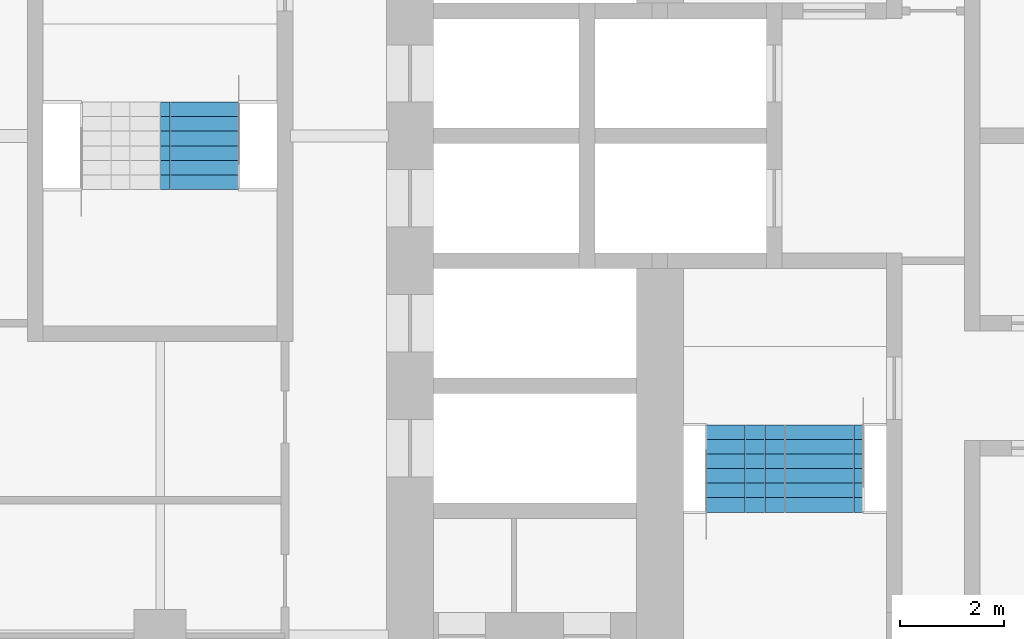
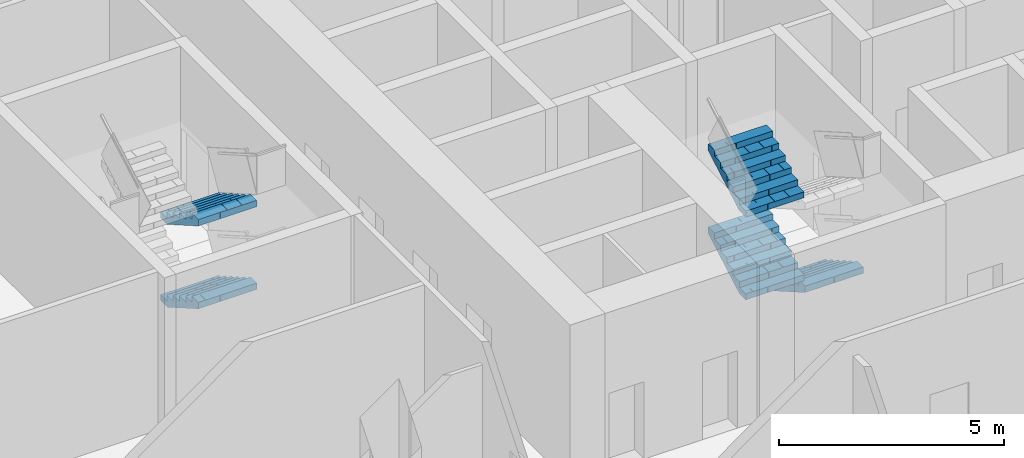
# One storey, part 18 of 23: 5 stair flights, 2 elements without a shape of their own.
"""IFC4 building model written with IfcOpenShell, lengths in metres."""

from ifc_helpers import new_model, si_unit, direction, frame, origin, place, context, subcontext, project, spatial, polyline, outline, extrude, material, type_object, element, aggregate, save


model = new_model("IFC4")

# Units and contexts
model_context = context("Model", 3, precision=1e-05, world=origin(), true_north=direction((0.0, 1.0)))
body_context = subcontext(model_context, "Body", "Model", "MODEL_VIEW")
ifc_project = project(units=[si_unit("LENGTHUNIT", "METRE"), si_unit("AREAUNIT", "SQUARE_METRE"), si_unit("VOLUMEUNIT", "CUBIC_METRE"), si_unit("PLANEANGLEUNIT", "RADIAN"), si_unit("MASSUNIT", "GRAM", prefix="KILO")], contexts=[model_context])

# Site, building, storey
site_placement = place(None, origin())
site = spatial("IfcSite", under=ifc_project, at=site_placement, CompositionType="ELEMENT")
building_placement = place(site_placement, origin())
building = spatial("IfcBuilding", under=site, at=building_placement, Name="Kolab Exchange Tower", CompositionType="ELEMENT")
storey_placement = place(building_placement, frame((0.0, 0.0, 100.39990234375)))
storey = spatial("IfcBuildingStorey", under=building, at=storey_placement, Name="L19", CompositionType="ELEMENT", Elevation=100.39990234375)

# Stair, stair flights
ifc_material = material(Name="Concrete C50/60", Category="concrete")
stair_type_1 = type_object("IfcStairType", Name="STAIR ST3 RISER 160.7", PredefinedType="DOUBLE_RETURN_STAIR", material=ifc_material)
stair_1_placement = place(storey_placement, origin())
stair_1 = element("IfcStair", 1, at=stair_1_placement, inside=storey, type_object=stair_type_1, Name="Stair 3", PredefinedType="DOUBLE_RETURN_STAIR")
stair_flight_type = type_object("IfcStairFlightType", Name="STAIR FLIGHT 1500 RISER 160.7", PredefinedType="STRAIGHT", material=ifc_material)
stair_flight_1_placement = place(storey_placement, frame((-6.43994140625, -5.550048828125, 0.0), z_axis=(0.0, 0.0, 1.0), x_axis=(0.0, -1.0, 0.0)))
stair_flight_1 = element("IfcStairFlight", 2, at=stair_flight_1_placement, type_object=stair_flight_type, Name="ST3 flight 1", NumberOfRisers=7, NumberOfTreads=6, PredefinedType="STRAIGHT", RiserHeight=0.160714286, TreadLength=0.28, context=body_context, shape_type="SweptSolid", body=[
    extrude(outline(polyline([(0.0, 0.0), (0.0, 0.16064453125), (0.280029296875, 0.16064453125), (0.280029296875, 0.321533203125), (0.56005859375, 0.321533203125), (0.56005859375, 0.482177734375), (0.840087890625, 0.482177734375), (0.840087890625, 0.642822265625), (1.1201171875, 0.642822265625), (1.1201171875, 0.803466796875), (1.39990234375, 0.803466796875), (1.39990234375, 0.96435546875), (1.679931640625, 0.96435546875), (1.679931640625, 1.125), (1.679931640625, 0.79150390625), (0.301025390625, 0.0), (0.0, 0.0)])), frame((0.0, 0.75, 0.0), z_axis=(0.0, -1.0, 0.0), x_axis=(1.0, 0.0, 0.0)), (0.0, 0.0, 1.0), 0.185791015625),
    extrude(outline(polyline([(0.0, 0.0), (0.0, 0.16064453125), (0.280029296875, 0.16064453125), (0.280029296875, 0.321533203125), (0.56005859375, 0.321533203125), (0.56005859375, 0.482177734375), (0.840087890625, 0.482177734375), (0.840087890625, 0.642822265625), (1.1201171875, 0.642822265625), (1.1201171875, 0.803466796875), (1.39990234375, 0.803466796875), (1.39990234375, 0.96435546875), (1.679931640625, 0.96435546875), (1.679931640625, 1.125), (1.679931640625, 0.79150390625), (0.301025390625, 0.0), (0.0, 0.0)])), frame((0.0, 0.562255859375, 0.0), z_axis=(0.0, -1.0, 0.0), x_axis=(1.0, 0.0, 0.0)), (0.0, 0.0, 1.0), 0.185791015625),
    extrude(outline(polyline([(0.0, 0.0), (0.0, 0.16064453125), (0.280029296875, 0.16064453125), (0.280029296875, 0.321533203125), (0.56005859375, 0.321533203125), (0.56005859375, 0.482177734375), (0.840087890625, 0.482177734375), (0.840087890625, 0.642822265625), (1.1201171875, 0.642822265625), (1.1201171875, 0.803466796875), (1.39990234375, 0.803466796875), (1.39990234375, 0.96435546875), (1.679931640625, 0.96435546875), (1.679931640625, 1.125), (1.679931640625, 0.79150390625), (0.301025390625, 0.0), (0.0, 0.0)])), frame((0.0, 0.37451171875, 0.0), z_axis=(0.0, -1.0, 0.0), x_axis=(1.0, 0.0, 0.0)), (0.0, 0.0, 1.0), 0.185791015625),
    extrude(outline(polyline([(0.0, 0.0), (0.0, 0.16064453125), (0.280029296875, 0.16064453125), (0.280029296875, 0.321533203125), (0.56005859375, 0.321533203125), (0.56005859375, 0.482177734375), (0.840087890625, 0.482177734375), (0.840087890625, 0.642822265625), (1.1201171875, 0.642822265625), (1.1201171875, 0.803466796875), (1.39990234375, 0.803466796875), (1.39990234375, 0.96435546875), (1.679931640625, 0.96435546875), (1.679931640625, 1.125), (1.679931640625, 0.79150390625), (0.301025390625, 0.0), (0.0, 0.0)])), frame((0.0, 0.186767578125, 0.0), z_axis=(0.0, -1.0, 0.0), x_axis=(1.0, 0.0, 0.0)), (0.0, 0.0, 1.0), 0.185791015625),
    extrude(outline(polyline([(0.0, 0.0), (0.0, 0.16064453125), (0.280029296875, 0.16064453125), (0.280029296875, 0.321533203125), (0.56005859375, 0.321533203125), (0.56005859375, 0.482177734375), (0.840087890625, 0.482177734375), (0.840087890625, 0.642822265625), (1.1201171875, 0.642822265625), (1.1201171875, 0.803466796875), (1.39990234375, 0.803466796875), (1.39990234375, 0.96435546875), (1.679931640625, 0.96435546875), (1.679931640625, 1.125), (1.679931640625, 0.79150390625), (0.301025390625, 0.0), (0.0, 0.0)])), frame((0.0, -0.0009765625, 0.0), z_axis=(0.0, -1.0, 0.0), x_axis=(1.0, 0.0, 0.0)), (0.0, 0.0, 1.0), 0.185791015625),
    extrude(outline(polyline([(0.0, 0.0), (0.0, 0.16064453125), (0.280029296875, 0.16064453125), (0.280029296875, 0.321533203125), (0.56005859375, 0.321533203125), (0.56005859375, 0.482177734375), (0.840087890625, 0.482177734375), (0.840087890625, 0.642822265625), (1.1201171875, 0.642822265625), (1.1201171875, 0.803466796875), (1.39990234375, 0.803466796875), (1.39990234375, 0.96435546875), (1.679931640625, 0.96435546875), (1.679931640625, 1.125), (1.679931640625, 0.79150390625), (0.301025390625, 0.0), (0.0, 0.0)])), frame((0.0, -0.188720703125, 0.0), z_axis=(0.0, -1.0, 0.0), x_axis=(1.0, 0.0, 0.0)), (0.0, 0.0, 1.0), 0.185791015625),
    extrude(outline(polyline([(0.0, 0.0), (0.0, 0.16064453125), (0.280029296875, 0.16064453125), (0.280029296875, 0.321533203125), (0.56005859375, 0.321533203125), (0.56005859375, 0.482177734375), (0.840087890625, 0.482177734375), (0.840087890625, 0.642822265625), (1.1201171875, 0.642822265625), (1.1201171875, 0.803466796875), (1.39990234375, 0.803466796875), (1.39990234375, 0.96435546875), (1.679931640625, 0.96435546875), (1.679931640625, 1.125), (1.679931640625, 0.79150390625), (0.301025390625, 0.0), (0.0, 0.0)])), frame((0.0, -0.37646484375, 0.0), z_axis=(0.0, -1.0, 0.0), x_axis=(1.0, 0.0, 0.0)), (0.0, 0.0, 1.0), 0.185791015625),
    extrude(outline(polyline([(0.0, 0.0), (0.0, 0.16064453125), (0.280029296875, 0.16064453125), (0.280029296875, 0.321533203125), (0.56005859375, 0.321533203125), (0.56005859375, 0.482177734375), (0.840087890625, 0.482177734375), (0.840087890625, 0.642822265625), (1.1201171875, 0.642822265625), (1.1201171875, 0.803466796875), (1.39990234375, 0.803466796875), (1.39990234375, 0.96435546875), (1.679931640625, 0.96435546875), (1.679931640625, 1.125), (1.679931640625, 0.79150390625), (0.301025390625, 0.0), (0.0, 0.0)])), frame((0.0, -0.564208984375, 0.0), z_axis=(0.0, -1.0, 0.0), x_axis=(1.0, 0.0, 0.0)), (0.0, 0.0, 1.0), 0.185791015625),
])
stair_flight_2_placement = place(storey_placement, frame((-7.9599609375, -7.22998046875, 1.125), z_axis=(0.0, 0.0, 1.0), x_axis=(0.0, 1.0, 0.0)))
stair_flight_2 = element("IfcStairFlight", 3, at=stair_flight_2_placement, type_object=stair_flight_type, Name="ST3 flight 2", NumberOfRisers=7, NumberOfTreads=6, PredefinedType="STRAIGHT", RiserHeight=0.160714286, TreadLength=0.28, context=body_context, shape_type="SweptSolid", body=[
    extrude(outline(polyline([(0.0, 0.0), (0.0, 0.16064453125), (0.280029296875, 0.16064453125), (0.280029296875, 0.321533203125), (0.56005859375, 0.321533203125), (0.56005859375, 0.482177734375), (0.840087890625, 0.482177734375), (0.840087890625, 0.642822265625), (1.1201171875, 0.642822265625), (1.1201171875, 0.803466796875), (1.39990234375, 0.803466796875), (1.39990234375, 0.96435546875), (1.679931640625, 0.96435546875), (1.679931640625, 1.125), (1.679931640625, 0.79150390625), (0.301025390625, 0.0), (0.0, 0.0)])), frame((0.0, 0.75, 0.0), z_axis=(0.0, -1.0, 0.0), x_axis=(1.0, 0.0, 0.0)), (0.0, 0.0, 1.0), 0.185791015625),
    extrude(outline(polyline([(0.0, 0.0), (0.0, 0.16064453125), (0.280029296875, 0.16064453125), (0.280029296875, 0.321533203125), (0.56005859375, 0.321533203125), (0.56005859375, 0.482177734375), (0.840087890625, 0.482177734375), (0.840087890625, 0.642822265625), (1.1201171875, 0.642822265625), (1.1201171875, 0.803466796875), (1.39990234375, 0.803466796875), (1.39990234375, 0.96435546875), (1.679931640625, 0.96435546875), (1.679931640625, 1.125), (1.679931640625, 0.79150390625), (0.301025390625, 0.0), (0.0, 0.0)])), frame((0.0, 0.562255859375, 0.0), z_axis=(0.0, -1.0, 0.0), x_axis=(1.0, 0.0, 0.0)), (0.0, 0.0, 1.0), 0.185791015625),
    extrude(outline(polyline([(0.0, 0.0), (0.0, 0.16064453125), (0.280029296875, 0.16064453125), (0.280029296875, 0.321533203125), (0.56005859375, 0.321533203125), (0.56005859375, 0.482177734375), (0.840087890625, 0.482177734375), (0.840087890625, 0.642822265625), (1.1201171875, 0.642822265625), (1.1201171875, 0.803466796875), (1.39990234375, 0.803466796875), (1.39990234375, 0.96435546875), (1.679931640625, 0.96435546875), (1.679931640625, 1.125), (1.679931640625, 0.79150390625), (0.301025390625, 0.0), (0.0, 0.0)])), frame((0.0, 0.37451171875, 0.0), z_axis=(0.0, -1.0, 0.0), x_axis=(1.0, 0.0, 0.0)), (0.0, 0.0, 1.0), 0.185791015625),
    extrude(outline(polyline([(0.0, 0.0), (0.0, 0.16064453125), (0.280029296875, 0.16064453125), (0.280029296875, 0.321533203125), (0.56005859375, 0.321533203125), (0.56005859375, 0.482177734375), (0.840087890625, 0.482177734375), (0.840087890625, 0.642822265625), (1.1201171875, 0.642822265625), (1.1201171875, 0.803466796875), (1.39990234375, 0.803466796875), (1.39990234375, 0.96435546875), (1.679931640625, 0.96435546875), (1.679931640625, 1.125), (1.679931640625, 0.79150390625), (0.301025390625, 0.0), (0.0, 0.0)])), frame((0.0, 0.186767578125, 0.0), z_axis=(0.0, -1.0, 0.0), x_axis=(1.0, 0.0, 0.0)), (0.0, 0.0, 1.0), 0.185791015625),
    extrude(outline(polyline([(0.0, 0.0), (0.0, 0.16064453125), (0.280029296875, 0.16064453125), (0.280029296875, 0.321533203125), (0.56005859375, 0.321533203125), (0.56005859375, 0.482177734375), (0.840087890625, 0.482177734375), (0.840087890625, 0.642822265625), (1.1201171875, 0.642822265625), (1.1201171875, 0.803466796875), (1.39990234375, 0.803466796875), (1.39990234375, 0.96435546875), (1.679931640625, 0.96435546875), (1.679931640625, 1.125), (1.679931640625, 0.79150390625), (0.301025390625, 0.0), (0.0, 0.0)])), frame((0.0, -0.0009765625, 0.0), z_axis=(0.0, -1.0, 0.0), x_axis=(1.0, 0.0, 0.0)), (0.0, 0.0, 1.0), 0.185791015625),
    extrude(outline(polyline([(0.0, 0.0), (0.0, 0.16064453125), (0.280029296875, 0.16064453125), (0.280029296875, 0.321533203125), (0.56005859375, 0.321533203125), (0.56005859375, 0.482177734375), (0.840087890625, 0.482177734375), (0.840087890625, 0.642822265625), (1.1201171875, 0.642822265625), (1.1201171875, 0.803466796875), (1.39990234375, 0.803466796875), (1.39990234375, 0.96435546875), (1.679931640625, 0.96435546875), (1.679931640625, 1.125), (1.679931640625, 0.79150390625), (0.301025390625, 0.0), (0.0, 0.0)])), frame((0.0, -0.188720703125, 0.0), z_axis=(0.0, -1.0, 0.0), x_axis=(1.0, 0.0, 0.0)), (0.0, 0.0, 1.0), 0.185791015625),
    extrude(outline(polyline([(0.0, 0.0), (0.0, 0.16064453125), (0.280029296875, 0.16064453125), (0.280029296875, 0.321533203125), (0.56005859375, 0.321533203125), (0.56005859375, 0.482177734375), (0.840087890625, 0.482177734375), (0.840087890625, 0.642822265625), (1.1201171875, 0.642822265625), (1.1201171875, 0.803466796875), (1.39990234375, 0.803466796875), (1.39990234375, 0.96435546875), (1.679931640625, 0.96435546875), (1.679931640625, 1.125), (1.679931640625, 0.79150390625), (0.301025390625, 0.0), (0.0, 0.0)])), frame((0.0, -0.37646484375, 0.0), z_axis=(0.0, -1.0, 0.0), x_axis=(1.0, 0.0, 0.0)), (0.0, 0.0, 1.0), 0.185791015625),
    extrude(outline(polyline([(0.0, 0.0), (0.0, 0.16064453125), (0.280029296875, 0.16064453125), (0.280029296875, 0.321533203125), (0.56005859375, 0.321533203125), (0.56005859375, 0.482177734375), (0.840087890625, 0.482177734375), (0.840087890625, 0.642822265625), (1.1201171875, 0.642822265625), (1.1201171875, 0.803466796875), (1.39990234375, 0.803466796875), (1.39990234375, 0.96435546875), (1.679931640625, 0.96435546875), (1.679931640625, 1.125), (1.679931640625, 0.79150390625), (0.301025390625, 0.0), (0.0, 0.0)])), frame((0.0, -0.564208984375, 0.0), z_axis=(0.0, -1.0, 0.0), x_axis=(1.0, 0.0, 0.0)), (0.0, 0.0, 1.0), 0.185791015625),
])
stair_flight_3_placement = place(storey_placement, frame((-7.9599609375, -7.22998046875, 3.375), z_axis=(0.0, 0.0, 1.0), x_axis=(0.0, 1.0, 0.0)))
stair_flight_3 = element("IfcStairFlight", 4, at=stair_flight_3_placement, type_object=stair_flight_type, Name="ST3 flight 4", NumberOfRisers=7, NumberOfTreads=6, PredefinedType="STRAIGHT", RiserHeight=0.160714286, TreadLength=0.28, context=body_context, shape_type="SweptSolid", body=[
    extrude(outline(polyline([(0.0, 0.0), (0.0, 0.16064453125), (0.280029296875, 0.16064453125), (0.280029296875, 0.321533203125), (0.56005859375, 0.321533203125), (0.56005859375, 0.482177734375), (0.840087890625, 0.482177734375), (0.840087890625, 0.642822265625), (1.1201171875, 0.642822265625), (1.1201171875, 0.803466796875), (1.39990234375, 0.803466796875), (1.39990234375, 0.96435546875), (1.679931640625, 0.96435546875), (1.679931640625, 1.125), (1.679931640625, 0.79150390625), (0.301025390625, 0.0), (0.0, 0.0)])), frame((0.0, 0.75, 0.0), z_axis=(0.0, -1.0, 0.0), x_axis=(1.0, 0.0, 0.0)), (0.0, 0.0, 1.0), 0.185791015625),
    extrude(outline(polyline([(0.0, 0.0), (0.0, 0.16064453125), (0.280029296875, 0.16064453125), (0.280029296875, 0.321533203125), (0.56005859375, 0.321533203125), (0.56005859375, 0.482177734375), (0.840087890625, 0.482177734375), (0.840087890625, 0.642822265625), (1.1201171875, 0.642822265625), (1.1201171875, 0.803466796875), (1.39990234375, 0.803466796875), (1.39990234375, 0.96435546875), (1.679931640625, 0.96435546875), (1.679931640625, 1.125), (1.679931640625, 0.79150390625), (0.301025390625, 0.0), (0.0, 0.0)])), frame((0.0, 0.562255859375, 0.0), z_axis=(0.0, -1.0, 0.0), x_axis=(1.0, 0.0, 0.0)), (0.0, 0.0, 1.0), 0.185791015625),
    extrude(outline(polyline([(0.0, 0.0), (0.0, 0.16064453125), (0.280029296875, 0.16064453125), (0.280029296875, 0.321533203125), (0.56005859375, 0.321533203125), (0.56005859375, 0.482177734375), (0.840087890625, 0.482177734375), (0.840087890625, 0.642822265625), (1.1201171875, 0.642822265625), (1.1201171875, 0.803466796875), (1.39990234375, 0.803466796875), (1.39990234375, 0.96435546875), (1.679931640625, 0.96435546875), (1.679931640625, 1.125), (1.679931640625, 0.79150390625), (0.301025390625, 0.0), (0.0, 0.0)])), frame((0.0, 0.37451171875, 0.0), z_axis=(0.0, -1.0, 0.0), x_axis=(1.0, 0.0, 0.0)), (0.0, 0.0, 1.0), 0.185791015625),
    extrude(outline(polyline([(0.0, 0.0), (0.0, 0.16064453125), (0.280029296875, 0.16064453125), (0.280029296875, 0.321533203125), (0.56005859375, 0.321533203125), (0.56005859375, 0.482177734375), (0.840087890625, 0.482177734375), (0.840087890625, 0.642822265625), (1.1201171875, 0.642822265625), (1.1201171875, 0.803466796875), (1.39990234375, 0.803466796875), (1.39990234375, 0.96435546875), (1.679931640625, 0.96435546875), (1.679931640625, 1.125), (1.679931640625, 0.79150390625), (0.301025390625, 0.0), (0.0, 0.0)])), frame((0.0, 0.186767578125, 0.0), z_axis=(0.0, -1.0, 0.0), x_axis=(1.0, 0.0, 0.0)), (0.0, 0.0, 1.0), 0.185791015625),
    extrude(outline(polyline([(0.0, 0.0), (0.0, 0.16064453125), (0.280029296875, 0.16064453125), (0.280029296875, 0.321533203125), (0.56005859375, 0.321533203125), (0.56005859375, 0.482177734375), (0.840087890625, 0.482177734375), (0.840087890625, 0.642822265625), (1.1201171875, 0.642822265625), (1.1201171875, 0.803466796875), (1.39990234375, 0.803466796875), (1.39990234375, 0.96435546875), (1.679931640625, 0.96435546875), (1.679931640625, 1.125), (1.679931640625, 0.79150390625), (0.301025390625, 0.0), (0.0, 0.0)])), frame((0.0, -0.0009765625, 0.0), z_axis=(0.0, -1.0, 0.0), x_axis=(1.0, 0.0, 0.0)), (0.0, 0.0, 1.0), 0.185791015625),
    extrude(outline(polyline([(0.0, 0.0), (0.0, 0.16064453125), (0.280029296875, 0.16064453125), (0.280029296875, 0.321533203125), (0.56005859375, 0.321533203125), (0.56005859375, 0.482177734375), (0.840087890625, 0.482177734375), (0.840087890625, 0.642822265625), (1.1201171875, 0.642822265625), (1.1201171875, 0.803466796875), (1.39990234375, 0.803466796875), (1.39990234375, 0.96435546875), (1.679931640625, 0.96435546875), (1.679931640625, 1.125), (1.679931640625, 0.79150390625), (0.301025390625, 0.0), (0.0, 0.0)])), frame((0.0, -0.188720703125, 0.0), z_axis=(0.0, -1.0, 0.0), x_axis=(1.0, 0.0, 0.0)), (0.0, 0.0, 1.0), 0.185791015625),
    extrude(outline(polyline([(0.0, 0.0), (0.0, 0.16064453125), (0.280029296875, 0.16064453125), (0.280029296875, 0.321533203125), (0.56005859375, 0.321533203125), (0.56005859375, 0.482177734375), (0.840087890625, 0.482177734375), (0.840087890625, 0.642822265625), (1.1201171875, 0.642822265625), (1.1201171875, 0.803466796875), (1.39990234375, 0.803466796875), (1.39990234375, 0.96435546875), (1.679931640625, 0.96435546875), (1.679931640625, 1.125), (1.679931640625, 0.79150390625), (0.301025390625, 0.0), (0.0, 0.0)])), frame((0.0, -0.37646484375, 0.0), z_axis=(0.0, -1.0, 0.0), x_axis=(1.0, 0.0, 0.0)), (0.0, 0.0, 1.0), 0.185791015625),
    extrude(outline(polyline([(0.0, 0.0), (0.0, 0.16064453125), (0.280029296875, 0.16064453125), (0.280029296875, 0.321533203125), (0.56005859375, 0.321533203125), (0.56005859375, 0.482177734375), (0.840087890625, 0.482177734375), (0.840087890625, 0.642822265625), (1.1201171875, 0.642822265625), (1.1201171875, 0.803466796875), (1.39990234375, 0.803466796875), (1.39990234375, 0.96435546875), (1.679931640625, 0.96435546875), (1.679931640625, 1.125), (1.679931640625, 0.79150390625), (0.301025390625, 0.0), (0.0, 0.0)])), frame((0.0, -0.564208984375, 0.0), z_axis=(0.0, -1.0, 0.0), x_axis=(1.0, 0.0, 0.0)), (0.0, 0.0, 1.0), 0.185791015625),
])
aggregate(stair_1, [stair_flight_1, stair_flight_2, stair_flight_3])

stair_type_2 = type_object("IfcStairType", Name="STAIR ST5 RISER 160.7", PredefinedType="DOUBLE_RETURN_STAIR", material=ifc_material)
stair_2_placement = place(storey_placement, origin())
stair_2 = element("IfcStair", 5, at=stair_2_placement, inside=storey, type_object=stair_type_2, Name="Stair 5", PredefinedType="DOUBLE_RETURN_STAIR")
stair_flight_4_placement = place(storey_placement, frame((-18.43994140625, 0.64990234375, 0.0), z_axis=(0.0, 0.0, 1.0), x_axis=(0.0, -1.0, 0.0)))
stair_flight_4 = element("IfcStairFlight", 6, at=stair_flight_4_placement, type_object=stair_flight_type, Name="ST5 flight 1", NumberOfRisers=7, NumberOfTreads=6, PredefinedType="STRAIGHT", RiserHeight=0.160714286, TreadLength=0.28, context=body_context, shape_type="SweptSolid", body=[
    extrude(outline(polyline([(0.0, 0.0), (0.0, 0.16064453125), (0.280029296875, 0.16064453125), (0.280029296875, 0.321533203125), (0.56005859375, 0.321533203125), (0.56005859375, 0.482177734375), (0.840087890625, 0.482177734375), (0.840087890625, 0.642822265625), (1.1201171875, 0.642822265625), (1.1201171875, 0.803466796875), (1.39990234375, 0.803466796875), (1.39990234375, 0.96435546875), (1.679931640625, 0.96435546875), (1.679931640625, 1.125), (1.679931640625, 0.79150390625), (0.301025390625, 0.0), (0.0, 0.0)])), frame((0.0, 0.75, 0.0), z_axis=(0.0, -1.0, 0.0), x_axis=(1.0, 0.0, 0.0)), (0.0, 0.0, 1.0), 0.185791015625),
    extrude(outline(polyline([(0.0, 0.0), (0.0, 0.16064453125), (0.280029296875, 0.16064453125), (0.280029296875, 0.321533203125), (0.56005859375, 0.321533203125), (0.56005859375, 0.482177734375), (0.840087890625, 0.482177734375), (0.840087890625, 0.642822265625), (1.1201171875, 0.642822265625), (1.1201171875, 0.803466796875), (1.39990234375, 0.803466796875), (1.39990234375, 0.96435546875), (1.679931640625, 0.96435546875), (1.679931640625, 1.125), (1.679931640625, 0.79150390625), (0.301025390625, 0.0), (0.0, 0.0)])), frame((0.0, 0.562255859375, 0.0), z_axis=(0.0, -1.0, 0.0), x_axis=(1.0, 0.0, 0.0)), (0.0, 0.0, 1.0), 0.185791015625),
    extrude(outline(polyline([(0.0, 0.0), (0.0, 0.16064453125), (0.280029296875, 0.16064453125), (0.280029296875, 0.321533203125), (0.56005859375, 0.321533203125), (0.56005859375, 0.482177734375), (0.840087890625, 0.482177734375), (0.840087890625, 0.642822265625), (1.1201171875, 0.642822265625), (1.1201171875, 0.803466796875), (1.39990234375, 0.803466796875), (1.39990234375, 0.96435546875), (1.679931640625, 0.96435546875), (1.679931640625, 1.125), (1.679931640625, 0.79150390625), (0.301025390625, 0.0), (0.0, 0.0)])), frame((0.0, 0.37451171875, 0.0), z_axis=(0.0, -1.0, 0.0), x_axis=(1.0, 0.0, 0.0)), (0.0, 0.0, 1.0), 0.185791015625),
    extrude(outline(polyline([(0.0, 0.0), (0.0, 0.16064453125), (0.280029296875, 0.16064453125), (0.280029296875, 0.321533203125), (0.56005859375, 0.321533203125), (0.56005859375, 0.482177734375), (0.840087890625, 0.482177734375), (0.840087890625, 0.642822265625), (1.1201171875, 0.642822265625), (1.1201171875, 0.803466796875), (1.39990234375, 0.803466796875), (1.39990234375, 0.96435546875), (1.679931640625, 0.96435546875), (1.679931640625, 1.125), (1.679931640625, 0.79150390625), (0.301025390625, 0.0), (0.0, 0.0)])), frame((0.0, 0.186767578125, 0.0), z_axis=(0.0, -1.0, 0.0), x_axis=(1.0, 0.0, 0.0)), (0.0, 0.0, 1.0), 0.185791015625),
    extrude(outline(polyline([(0.0, 0.0), (0.0, 0.16064453125), (0.280029296875, 0.16064453125), (0.280029296875, 0.321533203125), (0.56005859375, 0.321533203125), (0.56005859375, 0.482177734375), (0.840087890625, 0.482177734375), (0.840087890625, 0.642822265625), (1.1201171875, 0.642822265625), (1.1201171875, 0.803466796875), (1.39990234375, 0.803466796875), (1.39990234375, 0.96435546875), (1.679931640625, 0.96435546875), (1.679931640625, 1.125), (1.679931640625, 0.79150390625), (0.301025390625, 0.0), (0.0, 0.0)])), frame((0.0, -0.0009765625, 0.0), z_axis=(0.0, -1.0, 0.0), x_axis=(1.0, 0.0, 0.0)), (0.0, 0.0, 1.0), 0.185791015625),
    extrude(outline(polyline([(0.0, 0.0), (0.0, 0.16064453125), (0.280029296875, 0.16064453125), (0.280029296875, 0.321533203125), (0.56005859375, 0.321533203125), (0.56005859375, 0.482177734375), (0.840087890625, 0.482177734375), (0.840087890625, 0.642822265625), (1.1201171875, 0.642822265625), (1.1201171875, 0.803466796875), (1.39990234375, 0.803466796875), (1.39990234375, 0.96435546875), (1.679931640625, 0.96435546875), (1.679931640625, 1.125), (1.679931640625, 0.79150390625), (0.301025390625, 0.0), (0.0, 0.0)])), frame((0.0, -0.188720703125, 0.0), z_axis=(0.0, -1.0, 0.0), x_axis=(1.0, 0.0, 0.0)), (0.0, 0.0, 1.0), 0.185791015625),
    extrude(outline(polyline([(0.0, 0.0), (0.0, 0.16064453125), (0.280029296875, 0.16064453125), (0.280029296875, 0.321533203125), (0.56005859375, 0.321533203125), (0.56005859375, 0.482177734375), (0.840087890625, 0.482177734375), (0.840087890625, 0.642822265625), (1.1201171875, 0.642822265625), (1.1201171875, 0.803466796875), (1.39990234375, 0.803466796875), (1.39990234375, 0.96435546875), (1.679931640625, 0.96435546875), (1.679931640625, 1.125), (1.679931640625, 0.79150390625), (0.301025390625, 0.0), (0.0, 0.0)])), frame((0.0, -0.37646484375, 0.0), z_axis=(0.0, -1.0, 0.0), x_axis=(1.0, 0.0, 0.0)), (0.0, 0.0, 1.0), 0.185791015625),
    extrude(outline(polyline([(0.0, 0.0), (0.0, 0.16064453125), (0.280029296875, 0.16064453125), (0.280029296875, 0.321533203125), (0.56005859375, 0.321533203125), (0.56005859375, 0.482177734375), (0.840087890625, 0.482177734375), (0.840087890625, 0.642822265625), (1.1201171875, 0.642822265625), (1.1201171875, 0.803466796875), (1.39990234375, 0.803466796875), (1.39990234375, 0.96435546875), (1.679931640625, 0.96435546875), (1.679931640625, 1.125), (1.679931640625, 0.79150390625), (0.301025390625, 0.0), (0.0, 0.0)])), frame((0.0, -0.564208984375, 0.0), z_axis=(0.0, -1.0, 0.0), x_axis=(1.0, 0.0, 0.0)), (0.0, 0.0, 1.0), 0.185791015625),
])
stair_flight_5_placement = place(storey_placement, frame((-18.43994140625, 0.64990234375, 2.25), z_axis=(0.0, 0.0, 1.0), x_axis=(0.0, -1.0, 0.0)))
stair_flight_5 = element("IfcStairFlight", 7, at=stair_flight_5_placement, type_object=stair_flight_type, Name="ST5 flight 3", NumberOfRisers=7, NumberOfTreads=6, PredefinedType="STRAIGHT", RiserHeight=0.160714286, TreadLength=0.28, context=body_context, shape_type="SweptSolid", body=[
    extrude(outline(polyline([(0.0, 0.0), (0.0, 0.16064453125), (0.280029296875, 0.16064453125), (0.280029296875, 0.321533203125), (0.56005859375, 0.321533203125), (0.56005859375, 0.482177734375), (0.840087890625, 0.482177734375), (0.840087890625, 0.642822265625), (1.1201171875, 0.642822265625), (1.1201171875, 0.803466796875), (1.39990234375, 0.803466796875), (1.39990234375, 0.96435546875), (1.679931640625, 0.96435546875), (1.679931640625, 1.125), (1.679931640625, 0.79150390625), (0.301025390625, 0.0), (0.0, 0.0)])), frame((0.0, 0.75, 0.0), z_axis=(0.0, -1.0, 0.0), x_axis=(1.0, 0.0, 0.0)), (0.0, 0.0, 1.0), 0.185791015625),
    extrude(outline(polyline([(0.0, 0.0), (0.0, 0.16064453125), (0.280029296875, 0.16064453125), (0.280029296875, 0.321533203125), (0.56005859375, 0.321533203125), (0.56005859375, 0.482177734375), (0.840087890625, 0.482177734375), (0.840087890625, 0.642822265625), (1.1201171875, 0.642822265625), (1.1201171875, 0.803466796875), (1.39990234375, 0.803466796875), (1.39990234375, 0.96435546875), (1.679931640625, 0.96435546875), (1.679931640625, 1.125), (1.679931640625, 0.79150390625), (0.301025390625, 0.0), (0.0, 0.0)])), frame((0.0, 0.562255859375, 0.0), z_axis=(0.0, -1.0, 0.0), x_axis=(1.0, 0.0, 0.0)), (0.0, 0.0, 1.0), 0.185791015625),
    extrude(outline(polyline([(0.0, 0.0), (0.0, 0.16064453125), (0.280029296875, 0.16064453125), (0.280029296875, 0.321533203125), (0.56005859375, 0.321533203125), (0.56005859375, 0.482177734375), (0.840087890625, 0.482177734375), (0.840087890625, 0.642822265625), (1.1201171875, 0.642822265625), (1.1201171875, 0.803466796875), (1.39990234375, 0.803466796875), (1.39990234375, 0.96435546875), (1.679931640625, 0.96435546875), (1.679931640625, 1.125), (1.679931640625, 0.79150390625), (0.301025390625, 0.0), (0.0, 0.0)])), frame((0.0, 0.37451171875, 0.0), z_axis=(0.0, -1.0, 0.0), x_axis=(1.0, 0.0, 0.0)), (0.0, 0.0, 1.0), 0.185791015625),
    extrude(outline(polyline([(0.0, 0.0), (0.0, 0.16064453125), (0.280029296875, 0.16064453125), (0.280029296875, 0.321533203125), (0.56005859375, 0.321533203125), (0.56005859375, 0.482177734375), (0.840087890625, 0.482177734375), (0.840087890625, 0.642822265625), (1.1201171875, 0.642822265625), (1.1201171875, 0.803466796875), (1.39990234375, 0.803466796875), (1.39990234375, 0.96435546875), (1.679931640625, 0.96435546875), (1.679931640625, 1.125), (1.679931640625, 0.79150390625), (0.301025390625, 0.0), (0.0, 0.0)])), frame((0.0, 0.186767578125, 0.0), z_axis=(0.0, -1.0, 0.0), x_axis=(1.0, 0.0, 0.0)), (0.0, 0.0, 1.0), 0.185791015625),
    extrude(outline(polyline([(0.0, 0.0), (0.0, 0.16064453125), (0.280029296875, 0.16064453125), (0.280029296875, 0.321533203125), (0.56005859375, 0.321533203125), (0.56005859375, 0.482177734375), (0.840087890625, 0.482177734375), (0.840087890625, 0.642822265625), (1.1201171875, 0.642822265625), (1.1201171875, 0.803466796875), (1.39990234375, 0.803466796875), (1.39990234375, 0.96435546875), (1.679931640625, 0.96435546875), (1.679931640625, 1.125), (1.679931640625, 0.79150390625), (0.301025390625, 0.0), (0.0, 0.0)])), frame((0.0, -0.0009765625, 0.0), z_axis=(0.0, -1.0, 0.0), x_axis=(1.0, 0.0, 0.0)), (0.0, 0.0, 1.0), 0.185791015625),
    extrude(outline(polyline([(0.0, 0.0), (0.0, 0.16064453125), (0.280029296875, 0.16064453125), (0.280029296875, 0.321533203125), (0.56005859375, 0.321533203125), (0.56005859375, 0.482177734375), (0.840087890625, 0.482177734375), (0.840087890625, 0.642822265625), (1.1201171875, 0.642822265625), (1.1201171875, 0.803466796875), (1.39990234375, 0.803466796875), (1.39990234375, 0.96435546875), (1.679931640625, 0.96435546875), (1.679931640625, 1.125), (1.679931640625, 0.79150390625), (0.301025390625, 0.0), (0.0, 0.0)])), frame((0.0, -0.188720703125, 0.0), z_axis=(0.0, -1.0, 0.0), x_axis=(1.0, 0.0, 0.0)), (0.0, 0.0, 1.0), 0.185791015625),
    extrude(outline(polyline([(0.0, 0.0), (0.0, 0.16064453125), (0.280029296875, 0.16064453125), (0.280029296875, 0.321533203125), (0.56005859375, 0.321533203125), (0.56005859375, 0.482177734375), (0.840087890625, 0.482177734375), (0.840087890625, 0.642822265625), (1.1201171875, 0.642822265625), (1.1201171875, 0.803466796875), (1.39990234375, 0.803466796875), (1.39990234375, 0.96435546875), (1.679931640625, 0.96435546875), (1.679931640625, 1.125), (1.679931640625, 0.79150390625), (0.301025390625, 0.0), (0.0, 0.0)])), frame((0.0, -0.37646484375, 0.0), z_axis=(0.0, -1.0, 0.0), x_axis=(1.0, 0.0, 0.0)), (0.0, 0.0, 1.0), 0.185791015625),
    extrude(outline(polyline([(0.0, 0.0), (0.0, 0.16064453125), (0.280029296875, 0.16064453125), (0.280029296875, 0.321533203125), (0.56005859375, 0.321533203125), (0.56005859375, 0.482177734375), (0.840087890625, 0.482177734375), (0.840087890625, 0.642822265625), (1.1201171875, 0.642822265625), (1.1201171875, 0.803466796875), (1.39990234375, 0.803466796875), (1.39990234375, 0.96435546875), (1.679931640625, 0.96435546875), (1.679931640625, 1.125), (1.679931640625, 0.79150390625), (0.301025390625, 0.0), (0.0, 0.0)])), frame((0.0, -0.564208984375, 0.0), z_axis=(0.0, -1.0, 0.0), x_axis=(1.0, 0.0, 0.0)), (0.0, 0.0, 1.0), 0.185791015625),
])
aggregate(stair_2, [stair_flight_4, stair_flight_5])

save(model, "model.ifc")
